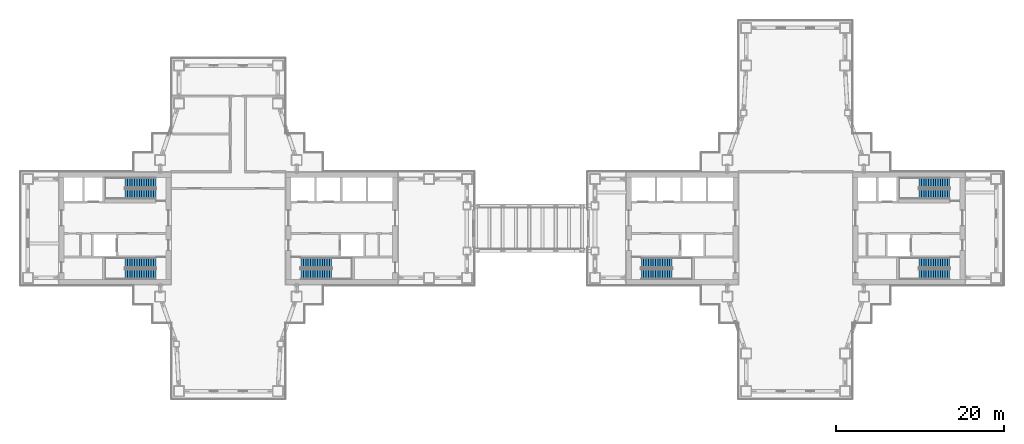
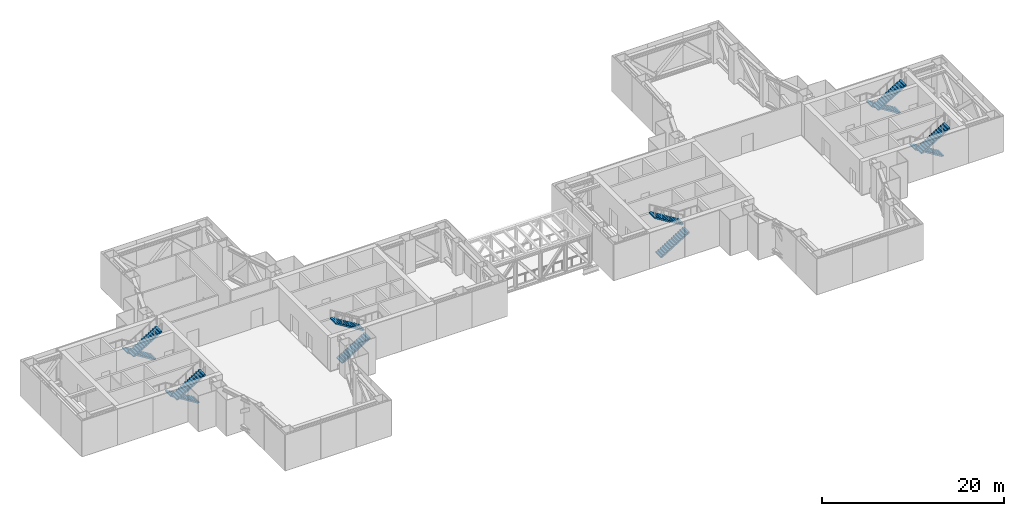
# One storey, part 13 of 21: 12 stair flights, 6 elements without a shape of their own.
"""IFC4 building model written with IfcOpenShell, lengths in metres."""

from ifc_helpers import new_model, si_unit, direction, frame, origin, place, context, subcontext, project, spatial, polyline, outline, extrude, material, type_object, element, aggregate, save


model = new_model("IFC4")

# Units and contexts
model_context = context("Model", 3, precision=1e-05, world=origin(), true_north=direction((0.0, 1.0)))
body_context = subcontext(model_context, "Body", "Model", "MODEL_VIEW")
ifc_project = project(units=[si_unit("LENGTHUNIT", "METRE"), si_unit("AREAUNIT", "SQUARE_METRE"), si_unit("VOLUMEUNIT", "CUBIC_METRE"), si_unit("PLANEANGLEUNIT", "RADIAN"), si_unit("MASSUNIT", "GRAM", prefix="KILO")], contexts=[model_context])

# Site, building, storey
site_placement = place(None, origin())
site = spatial("IfcSite", under=ifc_project, at=site_placement, CompositionType="ELEMENT")
building_placement = place(site_placement, origin())
building = spatial("IfcBuilding", under=site, at=building_placement, Name="Shamsa Quay Exchange Towers", CompositionType="ELEMENT")
storey_placement = place(building_placement, frame((0.0, 0.0, 128.699951171875)))
storey = spatial("IfcBuildingStorey", under=building, at=storey_placement, Name="L30", CompositionType="ELEMENT", Elevation=128.699951171875)

# Stair, stair flights
ifc_material = material(Name="Concrete C40/50", Category="concrete")
stair_type = type_object("IfcStairType", Name="EXIT STAIR 28 RISERS 171 MM", PredefinedType="HALF_TURN_STAIR", material=ifc_material)
stair_1_placement = place(storey_placement, origin())
stair_1 = element("IfcStair", 1, at=stair_1_placement, inside=storey, type_object=stair_type, Name="L30 Exit stair ST1", PredefinedType="HALF_TURN_STAIR")
stair_flight_type = type_object("IfcStairFlightType", Name="EXIT STAIR FLIGHT 14 RISERS 171 MM", PredefinedType="STRAIGHT", material=ifc_material)
stair_flight_1_placement = place(storey_placement, frame((-25.10009765625, -5.449951171875, 0.0)))
stair_flight_1 = element("IfcStairFlight", 2, at=stair_flight_1_placement, type_object=stair_flight_type, Name="ST1 flight 1", NumberOfRisers=14, NumberOfTreads=13, PredefinedType="STRAIGHT", RiserHeight=0.171428571, TreadLength=0.28, context=body_context, shape_type="SweptSolid", body=[
    extrude(outline(polyline([(0.0, 0.0), (0.0, 0.17138671875), (0.280029296875, 0.17138671875), (0.280029296875, 0.3427734375), (0.56005859375, 0.3427734375), (0.56005859375, 0.514404296875), (0.840087890625, 0.514404296875), (0.840087890625, 0.685791015625), (1.1201171875, 0.685791015625), (1.1201171875, 0.857177734375), (1.39990234375, 0.857177734375), (1.39990234375, 1.028564453125), (1.679931640625, 1.028564453125), (1.679931640625, 1.199951171875), (1.9599609375, 1.199951171875), (1.9599609375, 1.371337890625), (2.239990234375, 1.371337890625), (2.239990234375, 1.54296875), (2.52001953125, 1.54296875), (2.52001953125, 1.71435546875), (2.800048828125, 1.71435546875), (2.800048828125, 1.8857421875), (3.080078125, 1.8857421875), (3.080078125, 2.05712890625), (3.360107421875, 2.05712890625), (3.360107421875, 2.228515625), (3.639892578125, 2.228515625), (3.639892578125, 2.39990234375), (3.639892578125, 2.064453125), (0.267822265625, 0.0), (0.0, 0.0)])), frame((0.0, 0.60009765625, 0.0), z_axis=(0.0, -1.0, 0.0), x_axis=(1.0, 0.0, 0.0)), (0.0, 0.0, 1.0), 1.199951171875),
])
stair_flight_2_placement = place(storey_placement, frame((-21.4599609375, -4.10009765625, 2.400146484375), z_axis=(0.0, 0.0, 1.0), x_axis=(-1.0, 0.0, 0.0)))
stair_flight_2 = element("IfcStairFlight", 3, at=stair_flight_2_placement, type_object=stair_flight_type, Name="ST1 flight 2", NumberOfRisers=14, NumberOfTreads=13, PredefinedType="STRAIGHT", RiserHeight=0.171428571, TreadLength=0.28, context=body_context, shape_type="SweptSolid", body=[
    extrude(outline(polyline([(0.0, 0.0), (0.0, 0.17138671875), (0.280029296875, 0.17138671875), (0.280029296875, 0.3427734375), (0.56005859375, 0.3427734375), (0.56005859375, 0.514404296875), (0.840087890625, 0.514404296875), (0.840087890625, 0.685791015625), (1.1201171875, 0.685791015625), (1.1201171875, 0.857177734375), (1.39990234375, 0.857177734375), (1.39990234375, 1.028564453125), (1.679931640625, 1.028564453125), (1.679931640625, 1.199951171875), (1.9599609375, 1.199951171875), (1.9599609375, 1.371337890625), (2.239990234375, 1.371337890625), (2.239990234375, 1.54296875), (2.52001953125, 1.54296875), (2.52001953125, 1.71435546875), (2.800048828125, 1.71435546875), (2.800048828125, 1.8857421875), (3.080078125, 1.8857421875), (3.080078125, 2.05712890625), (3.360107421875, 2.05712890625), (3.360107421875, 2.228515625), (3.639892578125, 2.228515625), (3.639892578125, 2.39990234375), (3.639892578125, 2.064453125), (0.267822265625, 0.0), (0.0, 0.0)])), frame((0.0, 0.60009765625, 0.0), z_axis=(0.0, -1.0, 0.0), x_axis=(1.0, 0.0, 0.0)), (0.0, 0.0, 1.0), 1.199951171875),
])
aggregate(stair_1, [stair_flight_1, stair_flight_2])

stair_2_placement = place(storey_placement, origin())
stair_2 = element("IfcStair", 4, at=stair_2_placement, inside=storey, type_object=stair_type, Name="L30 Exit stair ST2", PredefinedType="HALF_TURN_STAIR")
stair_flight_3_placement = place(storey_placement, frame((-42.39990234375, -4.10009765625, 0.0), z_axis=(0.0, 0.0, 1.0), x_axis=(-1.0, 0.0, 0.0)))
stair_flight_3 = element("IfcStairFlight", 5, at=stair_flight_3_placement, type_object=stair_flight_type, Name="ST2 flight 1", NumberOfRisers=14, NumberOfTreads=13, PredefinedType="STRAIGHT", RiserHeight=0.171428571, TreadLength=0.28, context=body_context, shape_type="SweptSolid", body=[
    extrude(outline(polyline([(0.0, 0.0), (0.0, 0.17138671875), (0.280029296875, 0.17138671875), (0.280029296875, 0.3427734375), (0.56005859375, 0.3427734375), (0.56005859375, 0.514404296875), (0.840087890625, 0.514404296875), (0.840087890625, 0.685791015625), (1.1201171875, 0.685791015625), (1.1201171875, 0.857177734375), (1.39990234375, 0.857177734375), (1.39990234375, 1.028564453125), (1.679931640625, 1.028564453125), (1.679931640625, 1.199951171875), (1.9599609375, 1.199951171875), (1.9599609375, 1.371337890625), (2.239990234375, 1.371337890625), (2.239990234375, 1.54296875), (2.52001953125, 1.54296875), (2.52001953125, 1.71435546875), (2.800048828125, 1.71435546875), (2.800048828125, 1.8857421875), (3.080078125, 1.8857421875), (3.080078125, 2.05712890625), (3.360107421875, 2.05712890625), (3.360107421875, 2.228515625), (3.639892578125, 2.228515625), (3.639892578125, 2.39990234375), (3.639892578125, 2.064453125), (0.267822265625, 0.0), (0.0, 0.0)])), frame((0.0, 0.60009765625, 0.0), z_axis=(0.0, -1.0, 0.0), x_axis=(1.0, 0.0, 0.0)), (0.0, 0.0, 1.0), 1.199951171875),
])
stair_flight_4_placement = place(storey_placement, frame((-46.0400390625, -5.449951171875, 2.400146484375)))
stair_flight_4 = element("IfcStairFlight", 6, at=stair_flight_4_placement, type_object=stair_flight_type, Name="ST2 flight 2", NumberOfRisers=14, NumberOfTreads=13, PredefinedType="STRAIGHT", RiserHeight=0.171428571, TreadLength=0.28, context=body_context, shape_type="SweptSolid", body=[
    extrude(outline(polyline([(0.0, 0.0), (0.0, 0.17138671875), (0.280029296875, 0.17138671875), (0.280029296875, 0.3427734375), (0.56005859375, 0.3427734375), (0.56005859375, 0.514404296875), (0.840087890625, 0.514404296875), (0.840087890625, 0.685791015625), (1.1201171875, 0.685791015625), (1.1201171875, 0.857177734375), (1.39990234375, 0.857177734375), (1.39990234375, 1.028564453125), (1.679931640625, 1.028564453125), (1.679931640625, 1.199951171875), (1.9599609375, 1.199951171875), (1.9599609375, 1.371337890625), (2.239990234375, 1.371337890625), (2.239990234375, 1.54296875), (2.52001953125, 1.54296875), (2.52001953125, 1.71435546875), (2.800048828125, 1.71435546875), (2.800048828125, 1.8857421875), (3.080078125, 1.8857421875), (3.080078125, 2.05712890625), (3.360107421875, 2.05712890625), (3.360107421875, 2.228515625), (3.639892578125, 2.228515625), (3.639892578125, 2.39990234375), (3.639892578125, 2.064453125), (0.267822265625, 0.0), (0.0, 0.0)])), frame((0.0, 0.60009765625, 0.0), z_axis=(0.0, -1.0, 0.0), x_axis=(1.0, 0.0, 0.0)), (0.0, 0.0, 1.0), 1.199951171875),
])
aggregate(stair_2, [stair_flight_3, stair_flight_4])

stair_3_placement = place(storey_placement, origin())
stair_3 = element("IfcStair", 7, at=stair_3_placement, inside=storey, type_object=stair_type, Name="L30 Exit stair ST3", PredefinedType="HALF_TURN_STAIR")
stair_flight_5_placement = place(storey_placement, frame((-42.39990234375, 5.449951171875, 0.0), z_axis=(0.0, 0.0, 1.0), x_axis=(-1.0, 0.0, 0.0)))
stair_flight_5 = element("IfcStairFlight", 8, at=stair_flight_5_placement, type_object=stair_flight_type, Name="ST3 flight 1", NumberOfRisers=14, NumberOfTreads=13, PredefinedType="STRAIGHT", RiserHeight=0.171428571, TreadLength=0.28, context=body_context, shape_type="SweptSolid", body=[
    extrude(outline(polyline([(0.0, 0.0), (0.0, 0.17138671875), (0.280029296875, 0.17138671875), (0.280029296875, 0.3427734375), (0.56005859375, 0.3427734375), (0.56005859375, 0.514404296875), (0.840087890625, 0.514404296875), (0.840087890625, 0.685791015625), (1.1201171875, 0.685791015625), (1.1201171875, 0.857177734375), (1.39990234375, 0.857177734375), (1.39990234375, 1.028564453125), (1.679931640625, 1.028564453125), (1.679931640625, 1.199951171875), (1.9599609375, 1.199951171875), (1.9599609375, 1.371337890625), (2.239990234375, 1.371337890625), (2.239990234375, 1.54296875), (2.52001953125, 1.54296875), (2.52001953125, 1.71435546875), (2.800048828125, 1.71435546875), (2.800048828125, 1.8857421875), (3.080078125, 1.8857421875), (3.080078125, 2.05712890625), (3.360107421875, 2.05712890625), (3.360107421875, 2.228515625), (3.639892578125, 2.228515625), (3.639892578125, 2.39990234375), (3.639892578125, 2.064453125), (0.267822265625, 0.0), (0.0, 0.0)])), frame((0.0, 0.60009765625, 0.0), z_axis=(0.0, -1.0, 0.0), x_axis=(1.0, 0.0, 0.0)), (0.0, 0.0, 1.0), 1.199951171875),
])
stair_flight_6_placement = place(storey_placement, frame((-46.0400390625, 4.10009765625, 2.400146484375)))
stair_flight_6 = element("IfcStairFlight", 9, at=stair_flight_6_placement, type_object=stair_flight_type, Name="ST3 flight 2", NumberOfRisers=14, NumberOfTreads=13, PredefinedType="STRAIGHT", RiserHeight=0.171428571, TreadLength=0.28, context=body_context, shape_type="SweptSolid", body=[
    extrude(outline(polyline([(0.0, 0.0), (0.0, 0.17138671875), (0.280029296875, 0.17138671875), (0.280029296875, 0.3427734375), (0.56005859375, 0.3427734375), (0.56005859375, 0.514404296875), (0.840087890625, 0.514404296875), (0.840087890625, 0.685791015625), (1.1201171875, 0.685791015625), (1.1201171875, 0.857177734375), (1.39990234375, 0.857177734375), (1.39990234375, 1.028564453125), (1.679931640625, 1.028564453125), (1.679931640625, 1.199951171875), (1.9599609375, 1.199951171875), (1.9599609375, 1.371337890625), (2.239990234375, 1.371337890625), (2.239990234375, 1.54296875), (2.52001953125, 1.54296875), (2.52001953125, 1.71435546875), (2.800048828125, 1.71435546875), (2.800048828125, 1.8857421875), (3.080078125, 1.8857421875), (3.080078125, 2.05712890625), (3.360107421875, 2.05712890625), (3.360107421875, 2.228515625), (3.639892578125, 2.228515625), (3.639892578125, 2.39990234375), (3.639892578125, 2.064453125), (0.267822265625, 0.0), (0.0, 0.0)])), frame((0.0, 0.60009765625, 0.0), z_axis=(0.0, -1.0, 0.0), x_axis=(1.0, 0.0, 0.0)), (0.0, 0.0, 1.0), 1.199951171875),
])
aggregate(stair_3, [stair_flight_5, stair_flight_6])

stair_4_placement = place(storey_placement, origin())
stair_4 = element("IfcStair", 10, at=stair_4_placement, inside=storey, type_object=stair_type, Name="L30 Exit stair ST4", PredefinedType="HALF_TURN_STAIR")
stair_flight_7_placement = place(storey_placement, frame((15.39990234375, -5.449951171875, 0.0)))
stair_flight_7 = element("IfcStairFlight", 11, at=stair_flight_7_placement, type_object=stair_flight_type, Name="ST4 flight 1", NumberOfRisers=14, NumberOfTreads=13, PredefinedType="STRAIGHT", RiserHeight=0.171428571, TreadLength=0.28, context=body_context, shape_type="SweptSolid", body=[
    extrude(outline(polyline([(0.0, 0.0), (0.0, 0.17138671875), (0.280029296875, 0.17138671875), (0.280029296875, 0.3427734375), (0.56005859375, 0.3427734375), (0.56005859375, 0.514404296875), (0.840087890625, 0.514404296875), (0.840087890625, 0.685791015625), (1.1201171875, 0.685791015625), (1.1201171875, 0.857177734375), (1.39990234375, 0.857177734375), (1.39990234375, 1.028564453125), (1.679931640625, 1.028564453125), (1.679931640625, 1.199951171875), (1.9599609375, 1.199951171875), (1.9599609375, 1.371337890625), (2.239990234375, 1.371337890625), (2.239990234375, 1.54296875), (2.52001953125, 1.54296875), (2.52001953125, 1.71435546875), (2.800048828125, 1.71435546875), (2.800048828125, 1.8857421875), (3.080078125, 1.8857421875), (3.080078125, 2.05712890625), (3.360107421875, 2.05712890625), (3.360107421875, 2.228515625), (3.639892578125, 2.228515625), (3.639892578125, 2.39990234375), (3.639892578125, 2.064453125), (0.267822265625, 0.0), (0.0, 0.0)])), frame((0.0, 0.60009765625, 0.0), z_axis=(0.0, -1.0, 0.0), x_axis=(1.0, 0.0, 0.0)), (0.0, 0.0, 1.0), 1.199951171875),
])
stair_flight_8_placement = place(storey_placement, frame((19.0400390625, -4.10009765625, 2.400146484375), z_axis=(0.0, 0.0, 1.0), x_axis=(-1.0, 0.0, 0.0)))
stair_flight_8 = element("IfcStairFlight", 12, at=stair_flight_8_placement, type_object=stair_flight_type, Name="ST4 flight 2", NumberOfRisers=14, NumberOfTreads=13, PredefinedType="STRAIGHT", RiserHeight=0.171428571, TreadLength=0.28, context=body_context, shape_type="SweptSolid", body=[
    extrude(outline(polyline([(0.0, 0.0), (0.0, 0.17138671875), (0.280029296875, 0.17138671875), (0.280029296875, 0.3427734375), (0.56005859375, 0.3427734375), (0.56005859375, 0.514404296875), (0.840087890625, 0.514404296875), (0.840087890625, 0.685791015625), (1.1201171875, 0.685791015625), (1.1201171875, 0.857177734375), (1.39990234375, 0.857177734375), (1.39990234375, 1.028564453125), (1.679931640625, 1.028564453125), (1.679931640625, 1.199951171875), (1.9599609375, 1.199951171875), (1.9599609375, 1.371337890625), (2.239990234375, 1.371337890625), (2.239990234375, 1.54296875), (2.52001953125, 1.54296875), (2.52001953125, 1.71435546875), (2.800048828125, 1.71435546875), (2.800048828125, 1.8857421875), (3.080078125, 1.8857421875), (3.080078125, 2.05712890625), (3.360107421875, 2.05712890625), (3.360107421875, 2.228515625), (3.639892578125, 2.228515625), (3.639892578125, 2.39990234375), (3.639892578125, 2.064453125), (0.267822265625, 0.0), (0.0, 0.0)])), frame((0.0, 0.60009765625, 0.0), z_axis=(0.0, -1.0, 0.0), x_axis=(1.0, 0.0, 0.0)), (0.0, 0.0, 1.0), 1.199951171875),
])
aggregate(stair_4, [stair_flight_7, stair_flight_8])

stair_5_placement = place(storey_placement, origin())
stair_5 = element("IfcStair", 13, at=stair_5_placement, inside=storey, type_object=stair_type, Name="L30 Exit stair ST5", PredefinedType="HALF_TURN_STAIR")
stair_flight_9_placement = place(storey_placement, frame((52.10009765625, -4.10009765625, 0.0), z_axis=(0.0, 0.0, 1.0), x_axis=(-1.0, 0.0, 0.0)))
stair_flight_9 = element("IfcStairFlight", 14, at=stair_flight_9_placement, type_object=stair_flight_type, Name="ST5 flight 1", NumberOfRisers=14, NumberOfTreads=13, PredefinedType="STRAIGHT", RiserHeight=0.171428571, TreadLength=0.28, context=body_context, shape_type="SweptSolid", body=[
    extrude(outline(polyline([(0.0, 0.0), (0.0, 0.17138671875), (0.280029296875, 0.17138671875), (0.280029296875, 0.3427734375), (0.56005859375, 0.3427734375), (0.56005859375, 0.514404296875), (0.840087890625, 0.514404296875), (0.840087890625, 0.685791015625), (1.1201171875, 0.685791015625), (1.1201171875, 0.857177734375), (1.39990234375, 0.857177734375), (1.39990234375, 1.028564453125), (1.679931640625, 1.028564453125), (1.679931640625, 1.199951171875), (1.9599609375, 1.199951171875), (1.9599609375, 1.371337890625), (2.239990234375, 1.371337890625), (2.239990234375, 1.54296875), (2.52001953125, 1.54296875), (2.52001953125, 1.71435546875), (2.800048828125, 1.71435546875), (2.800048828125, 1.8857421875), (3.080078125, 1.8857421875), (3.080078125, 2.05712890625), (3.360107421875, 2.05712890625), (3.360107421875, 2.228515625), (3.639892578125, 2.228515625), (3.639892578125, 2.39990234375), (3.639892578125, 2.064453125), (0.267822265625, 0.0), (0.0, 0.0)])), frame((0.0, 0.60009765625, 0.0), z_axis=(0.0, -1.0, 0.0), x_axis=(1.0, 0.0, 0.0)), (0.0, 0.0, 1.0), 1.199951171875),
])
stair_flight_10_placement = place(storey_placement, frame((48.4599609375, -5.449951171875, 2.400146484375)))
stair_flight_10 = element("IfcStairFlight", 15, at=stair_flight_10_placement, type_object=stair_flight_type, Name="ST5 flight 2", NumberOfRisers=14, NumberOfTreads=13, PredefinedType="STRAIGHT", RiserHeight=0.171428571, TreadLength=0.28, context=body_context, shape_type="SweptSolid", body=[
    extrude(outline(polyline([(0.0, 0.0), (0.0, 0.17138671875), (0.280029296875, 0.17138671875), (0.280029296875, 0.3427734375), (0.56005859375, 0.3427734375), (0.56005859375, 0.514404296875), (0.840087890625, 0.514404296875), (0.840087890625, 0.685791015625), (1.1201171875, 0.685791015625), (1.1201171875, 0.857177734375), (1.39990234375, 0.857177734375), (1.39990234375, 1.028564453125), (1.679931640625, 1.028564453125), (1.679931640625, 1.199951171875), (1.9599609375, 1.199951171875), (1.9599609375, 1.371337890625), (2.239990234375, 1.371337890625), (2.239990234375, 1.54296875), (2.52001953125, 1.54296875), (2.52001953125, 1.71435546875), (2.800048828125, 1.71435546875), (2.800048828125, 1.8857421875), (3.080078125, 1.8857421875), (3.080078125, 2.05712890625), (3.360107421875, 2.05712890625), (3.360107421875, 2.228515625), (3.639892578125, 2.228515625), (3.639892578125, 2.39990234375), (3.639892578125, 2.064453125), (0.267822265625, 0.0), (0.0, 0.0)])), frame((0.0, 0.60009765625, 0.0), z_axis=(0.0, -1.0, 0.0), x_axis=(1.0, 0.0, 0.0)), (0.0, 0.0, 1.0), 1.199951171875),
])
aggregate(stair_5, [stair_flight_9, stair_flight_10])

stair_6_placement = place(storey_placement, origin())
stair_6 = element("IfcStair", 16, at=stair_6_placement, inside=storey, type_object=stair_type, Name="L30 Exit stair ST6", PredefinedType="HALF_TURN_STAIR")
stair_flight_11_placement = place(storey_placement, frame((52.10009765625, 5.449951171875, 0.0), z_axis=(0.0, 0.0, 1.0), x_axis=(-1.0, 0.0, 0.0)))
stair_flight_11 = element("IfcStairFlight", 17, at=stair_flight_11_placement, type_object=stair_flight_type, Name="ST6 flight 1", NumberOfRisers=14, NumberOfTreads=13, PredefinedType="STRAIGHT", RiserHeight=0.171428571, TreadLength=0.28, context=body_context, shape_type="SweptSolid", body=[
    extrude(outline(polyline([(0.0, 0.0), (0.0, 0.17138671875), (0.280029296875, 0.17138671875), (0.280029296875, 0.3427734375), (0.56005859375, 0.3427734375), (0.56005859375, 0.514404296875), (0.840087890625, 0.514404296875), (0.840087890625, 0.685791015625), (1.1201171875, 0.685791015625), (1.1201171875, 0.857177734375), (1.39990234375, 0.857177734375), (1.39990234375, 1.028564453125), (1.679931640625, 1.028564453125), (1.679931640625, 1.199951171875), (1.9599609375, 1.199951171875), (1.9599609375, 1.371337890625), (2.239990234375, 1.371337890625), (2.239990234375, 1.54296875), (2.52001953125, 1.54296875), (2.52001953125, 1.71435546875), (2.800048828125, 1.71435546875), (2.800048828125, 1.8857421875), (3.080078125, 1.8857421875), (3.080078125, 2.05712890625), (3.360107421875, 2.05712890625), (3.360107421875, 2.228515625), (3.639892578125, 2.228515625), (3.639892578125, 2.39990234375), (3.639892578125, 2.064453125), (0.267822265625, 0.0), (0.0, 0.0)])), frame((0.0, 0.60009765625, 0.0), z_axis=(0.0, -1.0, 0.0), x_axis=(1.0, 0.0, 0.0)), (0.0, 0.0, 1.0), 1.199951171875),
])
stair_flight_12_placement = place(storey_placement, frame((48.4599609375, 4.10009765625, 2.400146484375)))
stair_flight_12 = element("IfcStairFlight", 18, at=stair_flight_12_placement, type_object=stair_flight_type, Name="ST6 flight 2", NumberOfRisers=14, NumberOfTreads=13, PredefinedType="STRAIGHT", RiserHeight=0.171428571, TreadLength=0.28, context=body_context, shape_type="SweptSolid", body=[
    extrude(outline(polyline([(0.0, 0.0), (0.0, 0.17138671875), (0.280029296875, 0.17138671875), (0.280029296875, 0.3427734375), (0.56005859375, 0.3427734375), (0.56005859375, 0.514404296875), (0.840087890625, 0.514404296875), (0.840087890625, 0.685791015625), (1.1201171875, 0.685791015625), (1.1201171875, 0.857177734375), (1.39990234375, 0.857177734375), (1.39990234375, 1.028564453125), (1.679931640625, 1.028564453125), (1.679931640625, 1.199951171875), (1.9599609375, 1.199951171875), (1.9599609375, 1.371337890625), (2.239990234375, 1.371337890625), (2.239990234375, 1.54296875), (2.52001953125, 1.54296875), (2.52001953125, 1.71435546875), (2.800048828125, 1.71435546875), (2.800048828125, 1.8857421875), (3.080078125, 1.8857421875), (3.080078125, 2.05712890625), (3.360107421875, 2.05712890625), (3.360107421875, 2.228515625), (3.639892578125, 2.228515625), (3.639892578125, 2.39990234375), (3.639892578125, 2.064453125), (0.267822265625, 0.0), (0.0, 0.0)])), frame((0.0, 0.60009765625, 0.0), z_axis=(0.0, -1.0, 0.0), x_axis=(1.0, 0.0, 0.0)), (0.0, 0.0, 1.0), 1.199951171875),
])
aggregate(stair_6, [stair_flight_11, stair_flight_12])

save(model, "model.ifc")
